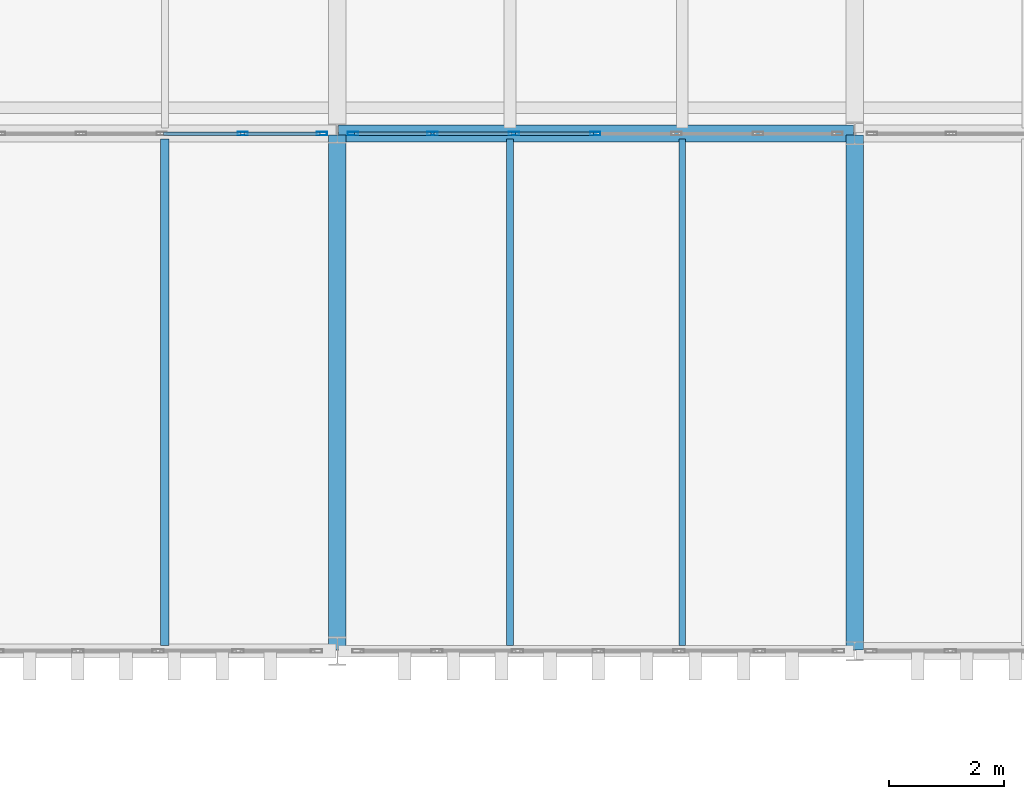
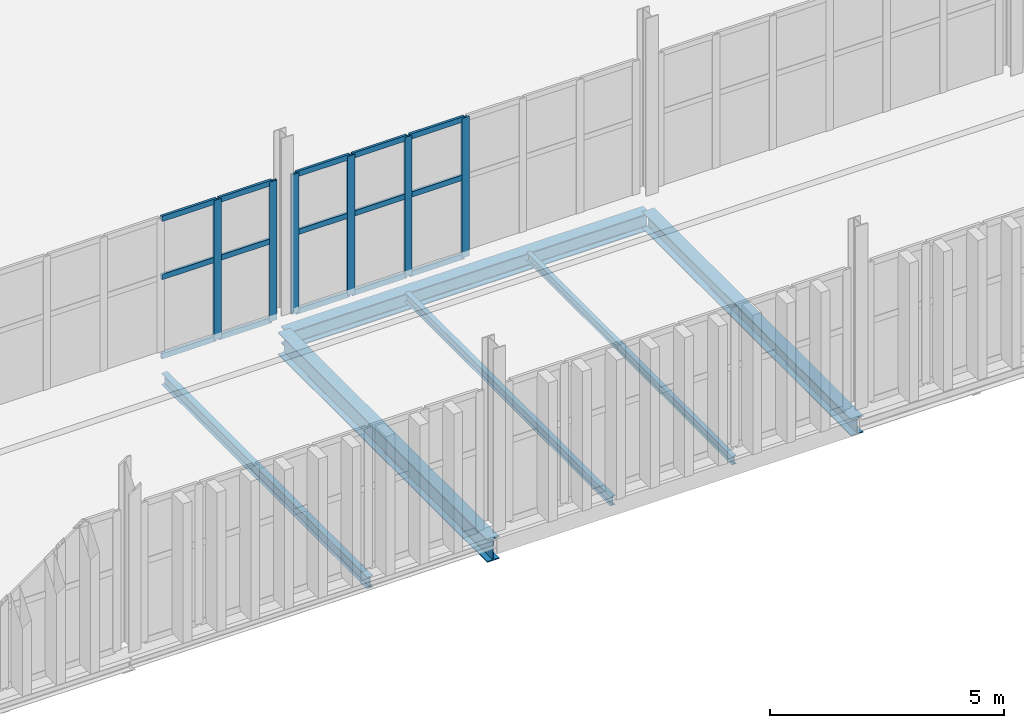
# One storey, part 41 of 196: 21 members, 6 beams, 2 elements without a shape of their own.
"""IFC4 building model written with IfcOpenShell, lengths in metres."""

from ifc_helpers import new_model, si_unit, direction, frame, origin, origin_2d, place, context, subcontext, project, spatial, hollow_rectangle, i_section, extrude, material, layer, layer_set, material_profile, profile_set, type_object, element, aggregate, save


model = new_model("IFC4")

# Units and contexts
model_context = context("Model", 3, precision=1e-05, world=origin(), true_north=direction((0.0, 1.0)))
body_context = subcontext(model_context, "Body", "Model", "MODEL_VIEW")
ifc_project = project(units=[si_unit("LENGTHUNIT", "METRE"), si_unit("AREAUNIT", "SQUARE_METRE"), si_unit("VOLUMEUNIT", "CUBIC_METRE"), si_unit("PLANEANGLEUNIT", "RADIAN"), si_unit("MASSUNIT", "GRAM", prefix="KILO")], contexts=[model_context])

# Site, building, storey
site_placement = place(None, origin())
site = spatial("IfcSite", under=ifc_project, at=site_placement, CompositionType="ELEMENT")
building_placement = place(site_placement, origin())
building = spatial("IfcBuilding", under=site, at=building_placement, Name="Barlavento Convention Centre", CompositionType="ELEMENT")
storey_placement = place(building_placement, frame((0.0, 0.0, 18.0)))
storey = spatial("IfcBuildingStorey", under=building, at=storey_placement, Name="L03", CompositionType="ELEMENT", Elevation=18.0)

# Curtain wall, members
ifc_material_1 = material(Name="Powder-coated aluminium and Low-E glass", Category="aluminium")
ifc_layer = layer(ifc_material_1, 0.179931640625)
ifc_layer_set = layer_set([ifc_layer], Name="ARC-CW-CONF-L03")
curtain_wall_type = type_object("IfcCurtainWallType", Name="ARC-CW-CONF-L03", PredefinedType="NOTDEFINED", material=ifc_layer_set)
curtain_wall_1_placement = place(storey_placement, origin())
curtain_wall_1 = element("IfcCurtainWall", 1, at=curtain_wall_1_placement, inside=storey, type_object=curtain_wall_type, Name="L03 unitised curtain wall CW08", PredefinedType="NOTDEFINED")
ifc_material_2 = material(Name="Powder-coated aluminium", Category="aluminium")
ifc_material_profile_1 = material_profile(ifc_material_2, hollow_rectangle(XDim=0.06005859375, YDim=0.179931640625, WallThickness=0.0048828125, at=origin_2d()), Name="AL-MULL 60x180x5")
ifc_profile_set_1 = profile_set([ifc_material_profile_1], Name="Powder-coated aluminium")
member_type_1 = type_object("IfcMemberType", Name="ARC-CWM-60X180", PredefinedType="MULLION", material=ifc_profile_set_1)
member_1_placement = place(storey_placement, frame((97.353271484375, 54.0, 0.0), z_axis=(0.0, 0.0, 1.0), x_axis=(0.0, 1.0, 0.0)))
member_1 = element("IfcMember", 2, at=member_1_placement, type_object=member_type_1, Name="CW08 mullion 6", PredefinedType="MULLION", context=body_context, shape_type="SweptSolid", body=[
    extrude(hollow_rectangle(XDim=0.06005859375, YDim=0.179931640625, WallThickness=0.0048828125, at=origin_2d()), origin(), (0.0, 0.0, 1.0), 3.64990234375),
])
member_2_placement = place(storey_placement, frame((98.72998046875, 54.0, 0.0), z_axis=(0.0, 0.0, 1.0), x_axis=(0.0, 1.0, 0.0)))
member_2 = element("IfcMember", 3, at=member_2_placement, type_object=member_type_1, Name="CW08 mullion 7", PredefinedType="MULLION", context=body_context, shape_type="SweptSolid", body=[
    extrude(hollow_rectangle(XDim=0.06005859375, YDim=0.179931640625, WallThickness=0.0048828125, at=origin_2d()), origin(), (0.0, 0.0, 1.0), 3.64990234375),
])

curtain_wall_2_placement = place(storey_placement, origin())
curtain_wall_2 = element("IfcCurtainWall", 4, at=curtain_wall_2_placement, inside=storey, type_object=curtain_wall_type, Name="L03 unitised curtain wall CW08", PredefinedType="NOTDEFINED")
member_3_placement = place(storey_placement, frame((99.27001953125, 54.0, 0.0), z_axis=(0.0, 0.0, 1.0), x_axis=(0.0, 1.0, 0.0)))
member_3 = element("IfcMember", 5, at=member_3_placement, type_object=member_type_1, Name="CW08 mullion 1", PredefinedType="MULLION", context=body_context, shape_type="SweptSolid", body=[
    extrude(hollow_rectangle(XDim=0.06005859375, YDim=0.179931640625, WallThickness=0.0048828125, at=origin_2d()), origin(), (0.0, 0.0, 1.0), 3.64990234375),
])
member_4_placement = place(storey_placement, frame((100.655029296875, 54.0, 0.0), z_axis=(0.0, 0.0, 1.0), x_axis=(0.0, 1.0, 0.0)))
member_4 = element("IfcMember", 6, at=member_4_placement, type_object=member_type_1, Name="CW08 mullion 2", PredefinedType="MULLION", context=body_context, shape_type="SweptSolid", body=[
    extrude(hollow_rectangle(XDim=0.06005859375, YDim=0.179931640625, WallThickness=0.0048828125, at=origin_2d()), origin(), (0.0, 0.0, 1.0), 3.64990234375),
])
member_5_placement = place(storey_placement, frame((102.070068359375, 54.0, 0.0), z_axis=(0.0, 0.0, 1.0), x_axis=(0.0, 1.0, 0.0)))
member_5 = element("IfcMember", 7, at=member_5_placement, type_object=member_type_1, Name="CW08 mullion 3", PredefinedType="MULLION", context=body_context, shape_type="SweptSolid", body=[
    extrude(hollow_rectangle(XDim=0.06005859375, YDim=0.179931640625, WallThickness=0.0048828125, at=origin_2d()), origin(), (0.0, 0.0, 1.0), 3.64990234375),
])
member_6_placement = place(storey_placement, frame((103.485107421875, 54.0, 0.0), z_axis=(0.0, 0.0, 1.0), x_axis=(0.0, 1.0, 0.0)))
member_6 = element("IfcMember", 8, at=member_6_placement, type_object=member_type_1, Name="CW08 mullion 4", PredefinedType="MULLION", context=body_context, shape_type="SweptSolid", body=[
    extrude(hollow_rectangle(XDim=0.06005859375, YDim=0.179931640625, WallThickness=0.0048828125, at=origin_2d()), origin(), (0.0, 0.0, 1.0), 3.64990234375),
])

# Member
ifc_material_profile_2 = material_profile(ifc_material_2, hollow_rectangle(XDim=0.06005859375, YDim=0.139892578125, WallThickness=0.00390625, at=origin_2d()), Name="AL-TRAN 60x140x4")
ifc_profile_set_2 = profile_set([ifc_material_profile_2], Name="Powder-coated aluminium")
member_type_2 = type_object("IfcMemberType", Name="ARC-CWT-60X140", PredefinedType="USERDEFINED", material=ifc_profile_set_2)
member_7_placement = place(storey_placement, frame((95.9765625, 54.0, 0.030029296875), z_axis=(1.0, 0.0, 0.0), x_axis=(0.0, 1.0, 0.0)))
member_7 = element("IfcMember", 9, at=member_7_placement, type_object=member_type_2, Name="CW08 transom 5.1", ObjectType="TRANSOM", PredefinedType="USERDEFINED", context=body_context, shape_type="SweptSolid", body=[
    extrude(hollow_rectangle(XDim=0.06005859375, YDim=0.139892578125, WallThickness=0.00390625, at=origin_2d()), origin(), (0.0, 0.0, 1.0), 1.3466796875),
])

member_8_placement = place(storey_placement, frame((95.9765625, 54.0, 2.10009765625), z_axis=(1.0, 0.0, 0.0), x_axis=(0.0, 1.0, 0.0)))
member_8 = element("IfcMember", 10, at=member_8_placement, type_object=member_type_2, Name="CW08 transom 5.2", ObjectType="TRANSOM", PredefinedType="USERDEFINED", context=body_context, shape_type="SweptSolid", body=[
    extrude(hollow_rectangle(XDim=0.06005859375, YDim=0.139892578125, WallThickness=0.00390625, at=origin_2d()), origin(), (0.0, 0.0, 1.0), 1.3466796875),
])

member_9_placement = place(storey_placement, frame((95.9765625, 54.0, 3.6201171875), z_axis=(1.0, 0.0, 0.0), x_axis=(0.0, 1.0, 0.0)))
member_9 = element("IfcMember", 11, at=member_9_placement, type_object=member_type_2, Name="CW08 transom 5.3", ObjectType="TRANSOM", PredefinedType="USERDEFINED", context=body_context, shape_type="SweptSolid", body=[
    extrude(hollow_rectangle(XDim=0.06005859375, YDim=0.139892578125, WallThickness=0.00390625, at=origin_2d()), origin(), (0.0, 0.0, 1.0), 1.3466796875),
])

member_10_placement = place(storey_placement, frame((97.38330078125, 54.0, 0.030029296875), z_axis=(1.0, 0.0, 0.0), x_axis=(0.0, 1.0, 0.0)))
member_10 = element("IfcMember", 12, at=member_10_placement, type_object=member_type_2, Name="CW08 transom 6.1", ObjectType="TRANSOM", PredefinedType="USERDEFINED", context=body_context, shape_type="SweptSolid", body=[
    extrude(hollow_rectangle(XDim=0.06005859375, YDim=0.139892578125, WallThickness=0.00390625, at=origin_2d()), origin(), (0.0, 0.0, 1.0), 1.316650390625),
])

member_11_placement = place(storey_placement, frame((97.38330078125, 54.0, 2.10009765625), z_axis=(1.0, 0.0, 0.0), x_axis=(0.0, 1.0, 0.0)))
member_11 = element("IfcMember", 13, at=member_11_placement, type_object=member_type_2, Name="CW08 transom 6.2", ObjectType="TRANSOM", PredefinedType="USERDEFINED", context=body_context, shape_type="SweptSolid", body=[
    extrude(hollow_rectangle(XDim=0.06005859375, YDim=0.139892578125, WallThickness=0.00390625, at=origin_2d()), origin(), (0.0, 0.0, 1.0), 1.316650390625),
])

member_12_placement = place(storey_placement, frame((97.38330078125, 54.0, 3.6201171875), z_axis=(1.0, 0.0, 0.0), x_axis=(0.0, 1.0, 0.0)))
member_12 = element("IfcMember", 14, at=member_12_placement, type_object=member_type_2, Name="CW08 transom 6.3", ObjectType="TRANSOM", PredefinedType="USERDEFINED", context=body_context, shape_type="SweptSolid", body=[
    extrude(hollow_rectangle(XDim=0.06005859375, YDim=0.139892578125, WallThickness=0.00390625, at=origin_2d()), origin(), (0.0, 0.0, 1.0), 1.316650390625),
])

aggregate(curtain_wall_1, [member_1, member_2, member_7, member_8, member_9, member_10, member_11, member_12])

member_13_placement = place(storey_placement, frame((99.300048828125, 54.0, 0.030029296875), z_axis=(1.0, 0.0, 0.0), x_axis=(0.0, 1.0, 0.0)))
member_13 = element("IfcMember", 15, at=member_13_placement, type_object=member_type_2, Name="CW08 transom 1.1", ObjectType="TRANSOM", PredefinedType="USERDEFINED", context=body_context, shape_type="SweptSolid", body=[
    extrude(hollow_rectangle(XDim=0.06005859375, YDim=0.139892578125, WallThickness=0.00390625, at=origin_2d()), origin(), (0.0, 0.0, 1.0), 1.324951171875),
])

member_14_placement = place(storey_placement, frame((99.300048828125, 54.0, 2.10009765625), z_axis=(1.0, 0.0, 0.0), x_axis=(0.0, 1.0, 0.0)))
member_14 = element("IfcMember", 16, at=member_14_placement, type_object=member_type_2, Name="CW08 transom 1.2", ObjectType="TRANSOM", PredefinedType="USERDEFINED", context=body_context, shape_type="SweptSolid", body=[
    extrude(hollow_rectangle(XDim=0.06005859375, YDim=0.139892578125, WallThickness=0.00390625, at=origin_2d()), origin(), (0.0, 0.0, 1.0), 1.324951171875),
])

member_15_placement = place(storey_placement, frame((99.300048828125, 54.0, 3.6201171875), z_axis=(1.0, 0.0, 0.0), x_axis=(0.0, 1.0, 0.0)))
member_15 = element("IfcMember", 17, at=member_15_placement, type_object=member_type_2, Name="CW08 transom 1.3", ObjectType="TRANSOM", PredefinedType="USERDEFINED", context=body_context, shape_type="SweptSolid", body=[
    extrude(hollow_rectangle(XDim=0.06005859375, YDim=0.139892578125, WallThickness=0.00390625, at=origin_2d()), origin(), (0.0, 0.0, 1.0), 1.324951171875),
])

member_16_placement = place(storey_placement, frame((100.68505859375, 54.0, 0.030029296875), z_axis=(1.0, 0.0, 0.0), x_axis=(0.0, 1.0, 0.0)))
member_16 = element("IfcMember", 18, at=member_16_placement, type_object=member_type_2, Name="CW08 transom 2.1", ObjectType="TRANSOM", PredefinedType="USERDEFINED", context=body_context, shape_type="SweptSolid", body=[
    extrude(hollow_rectangle(XDim=0.06005859375, YDim=0.139892578125, WallThickness=0.00390625, at=origin_2d()), origin(), (0.0, 0.0, 1.0), 1.35498046875),
])

member_17_placement = place(storey_placement, frame((100.68505859375, 54.0, 2.10009765625), z_axis=(1.0, 0.0, 0.0), x_axis=(0.0, 1.0, 0.0)))
member_17 = element("IfcMember", 19, at=member_17_placement, type_object=member_type_2, Name="CW08 transom 2.2", ObjectType="TRANSOM", PredefinedType="USERDEFINED", context=body_context, shape_type="SweptSolid", body=[
    extrude(hollow_rectangle(XDim=0.06005859375, YDim=0.139892578125, WallThickness=0.00390625, at=origin_2d()), origin(), (0.0, 0.0, 1.0), 1.35498046875),
])

member_18_placement = place(storey_placement, frame((100.68505859375, 54.0, 3.6201171875), z_axis=(1.0, 0.0, 0.0), x_axis=(0.0, 1.0, 0.0)))
member_18 = element("IfcMember", 20, at=member_18_placement, type_object=member_type_2, Name="CW08 transom 2.3", ObjectType="TRANSOM", PredefinedType="USERDEFINED", context=body_context, shape_type="SweptSolid", body=[
    extrude(hollow_rectangle(XDim=0.06005859375, YDim=0.139892578125, WallThickness=0.00390625, at=origin_2d()), origin(), (0.0, 0.0, 1.0), 1.35498046875),
])

member_19_placement = place(storey_placement, frame((102.10009765625, 54.0, 0.030029296875), z_axis=(1.0, 0.0, 0.0), x_axis=(0.0, 1.0, 0.0)))
member_19 = element("IfcMember", 21, at=member_19_placement, type_object=member_type_2, Name="CW08 transom 3.1", ObjectType="TRANSOM", PredefinedType="USERDEFINED", context=body_context, shape_type="SweptSolid", body=[
    extrude(hollow_rectangle(XDim=0.06005859375, YDim=0.139892578125, WallThickness=0.00390625, at=origin_2d()), origin(), (0.0, 0.0, 1.0), 1.35498046875),
])

member_20_placement = place(storey_placement, frame((102.10009765625, 54.0, 2.10009765625), z_axis=(1.0, 0.0, 0.0), x_axis=(0.0, 1.0, 0.0)))
member_20 = element("IfcMember", 22, at=member_20_placement, type_object=member_type_2, Name="CW08 transom 3.2", ObjectType="TRANSOM", PredefinedType="USERDEFINED", context=body_context, shape_type="SweptSolid", body=[
    extrude(hollow_rectangle(XDim=0.06005859375, YDim=0.139892578125, WallThickness=0.00390625, at=origin_2d()), origin(), (0.0, 0.0, 1.0), 1.35498046875),
])

member_21_placement = place(storey_placement, frame((102.10009765625, 54.0, 3.6201171875), z_axis=(1.0, 0.0, 0.0), x_axis=(0.0, 1.0, 0.0)))
member_21 = element("IfcMember", 23, at=member_21_placement, type_object=member_type_2, Name="CW08 transom 3.3", ObjectType="TRANSOM", PredefinedType="USERDEFINED", context=body_context, shape_type="SweptSolid", body=[
    extrude(hollow_rectangle(XDim=0.06005859375, YDim=0.139892578125, WallThickness=0.00390625, at=origin_2d()), origin(), (0.0, 0.0, 1.0), 1.35498046875),
])

aggregate(curtain_wall_2, [member_3, member_4, member_5, member_6, member_13, member_14, member_15, member_16, member_17, member_18, member_19, member_20, member_21])

# Beams
ifc_material_3 = material(Name="Steel S355", Category="steel")
ifc_material_profile_3 = material_profile(ifc_material_3, i_section(OverallWidth=0.110107421875, OverallDepth=0.219970703125, WebThickness=0.005859375, FlangeThickness=0.00927734375, FilletRadius=0.011962890625, at=origin_2d()), Name="IPE 220")
ifc_profile_set_3 = profile_set([ifc_material_profile_3], Name="Steel S355")
beam_type_1 = type_object("IfcBeamType", Name="STR-BM-JST-IPE220", PredefinedType="JOIST", material=ifc_profile_set_3)
beam_1_placement = place(storey_placement, frame((105.0, 45.094970703125, -0.455078125), z_axis=(0.0, 1.0, 0.0), x_axis=(-1.0, 0.0, 0.0)))
element("IfcBeam", 24, at=beam_1_placement, inside=storey, type_object=beam_type_1, Name="L03 composite floor joist SJ10", PredefinedType="JOIST", context=body_context, shape_type="SweptSolid", body=[
    extrude(i_section(OverallWidth=0.110107421875, OverallDepth=0.219970703125, WebThickness=0.005859375, FlangeThickness=0.00927734375, FilletRadius=0.011962890625, at=origin_2d()), origin(), (0.0, 0.0, 1.0), 8.81005859375),
])
ifc_material_profile_4 = material_profile(ifc_material_3, i_section(OverallWidth=0.1201171875, OverallDepth=0.239990234375, WebThickness=0.006103515625, FlangeThickness=0.009765625, FilletRadius=0.014892578125, at=origin_2d()), Name="IPE 240")
ifc_profile_set_4 = profile_set([ifc_material_profile_4], Name="Steel S355")
beam_type_2 = type_object("IfcBeamType", Name="STR-BM-JST-IPE240", PredefinedType="JOIST", material=ifc_profile_set_4)
beam_2_placement = place(storey_placement, frame((102.0, 45.094970703125, -0.465087890625), z_axis=(0.0, 1.0, 0.0), x_axis=(-1.0, 0.0, 0.0)))
element("IfcBeam", 25, at=beam_2_placement, inside=storey, type_object=beam_type_2, Name="L03 composite floor joist SJ09", PredefinedType="JOIST", context=body_context, shape_type="SweptSolid", body=[
    extrude(i_section(OverallWidth=0.1201171875, OverallDepth=0.239990234375, WebThickness=0.006103515625, FlangeThickness=0.009765625, FilletRadius=0.014892578125, at=origin_2d()), origin(), (0.0, 0.0, 1.0), 8.81005859375),
])
ifc_material_profile_5 = material_profile(ifc_material_3, i_section(OverallWidth=0.14990234375, OverallDepth=0.300048828125, WebThickness=0.007080078125, FlangeThickness=0.0107421875, FilletRadius=0.014892578125, at=origin_2d()), Name="IPE 300")
ifc_profile_set_5 = profile_set([ifc_material_profile_5], Name="Steel S355")
beam_type_3 = type_object("IfcBeamType", Name="STR-BM-JST-IPE300", PredefinedType="JOIST", material=ifc_profile_set_5)
beam_3_placement = place(storey_placement, frame((96.0, 45.094970703125, -0.4951171875), z_axis=(0.0, 1.0, 0.0), x_axis=(-1.0, 0.0, 0.0)))
element("IfcBeam", 26, at=beam_3_placement, inside=storey, type_object=beam_type_3, Name="L03 composite floor joist SJ07", PredefinedType="JOIST", context=body_context, shape_type="SweptSolid", body=[
    extrude(i_section(OverallWidth=0.14990234375, OverallDepth=0.300048828125, WebThickness=0.007080078125, FlangeThickness=0.0107421875, FilletRadius=0.014892578125, at=origin_2d()), origin(), (0.0, 0.0, 1.0), 8.81005859375),
])
ifc_material_profile_6 = material_profile(ifc_material_3, i_section(OverallWidth=0.300048828125, OverallDepth=0.43994140625, WebThickness=0.011474609375, FlangeThickness=0.02099609375, FilletRadius=0.027099609375, at=origin_2d()), Name="HEA 450")
ifc_profile_set_6 = profile_set([ifc_material_profile_6], Name="Steel S355")
beam_type_4 = type_object("IfcBeamType", Name="STR-BM-PRI-HEA450", PredefinedType="BEAM", material=ifc_profile_set_6)
beam_4_placement = place(storey_placement, frame((108.0, 45.02001953125, -0.56494140625), z_axis=(0.0, 1.0, 0.0), x_axis=(-1.0, 0.0, 0.0)))
element("IfcBeam", 27, at=beam_4_placement, inside=storey, type_object=beam_type_4, Name="L03 grid girder BG21", PredefinedType="BEAM", context=body_context, shape_type="SweptSolid", body=[
    extrude(i_section(OverallWidth=0.300048828125, OverallDepth=0.43994140625, WebThickness=0.011474609375, FlangeThickness=0.02099609375, FilletRadius=0.027099609375, at=origin_2d()), origin(), (0.0, 0.0, 1.0), 8.9599609375),
])
ifc_material_profile_7 = material_profile(ifc_material_3, i_section(OverallWidth=0.300048828125, OverallDepth=0.590087890625, WebThickness=0.012939453125, FlangeThickness=0.02490234375, FilletRadius=0.027099609375, at=origin_2d()), Name="HEA 600")
ifc_profile_set_7 = profile_set([ifc_material_profile_7], Name="Steel S355")
beam_type_5 = type_object("IfcBeamType", Name="STR-BM-PRI-HEA600", PredefinedType="BEAM", material=ifc_profile_set_7)
beam_5_placement = place(storey_placement, frame((99.0, 45.02001953125, -0.639892578125), z_axis=(0.0, 1.0, 0.0), x_axis=(-1.0, 0.0, 0.0)))
element("IfcBeam", 28, at=beam_5_placement, inside=storey, type_object=beam_type_5, Name="L03 grid girder BG18", PredefinedType="BEAM", context=body_context, shape_type="SweptSolid", body=[
    extrude(i_section(OverallWidth=0.300048828125, OverallDepth=0.590087890625, WebThickness=0.012939453125, FlangeThickness=0.02490234375, FilletRadius=0.027099609375, at=origin_2d()), origin(), (0.0, 0.0, 1.0), 8.9599609375),
])
ifc_material_profile_8 = material_profile(ifc_material_3, i_section(OverallWidth=0.300048828125, OverallDepth=0.449951171875, WebThickness=0.013916015625, FlangeThickness=0.02587890625, FilletRadius=0.027099609375, at=origin_2d()), Name="HEB 450")
ifc_profile_set_8 = profile_set([ifc_material_profile_8], Name="Steel S355")
beam_type_6 = type_object("IfcBeamType", Name="STR-BM-PRI-HEB450", PredefinedType="BEAM", material=ifc_profile_set_8)
beam_6_placement = place(storey_placement, frame((99.02001953125, 54.0, -0.570068359375), z_axis=(1.0, 0.0, 0.0), x_axis=(0.0, 1.0, 0.0)))
element("IfcBeam", 29, at=beam_6_placement, inside=storey, type_object=beam_type_6, Name="L03 primary girder BG10", PredefinedType="BEAM", context=body_context, shape_type="SweptSolid", body=[
    extrude(i_section(OverallWidth=0.300048828125, OverallDepth=0.449951171875, WebThickness=0.013916015625, FlangeThickness=0.02587890625, FilletRadius=0.027099609375, at=origin_2d()), origin(), (0.0, 0.0, 1.0), 8.9599609375),
])

save(model, "model.ifc")
